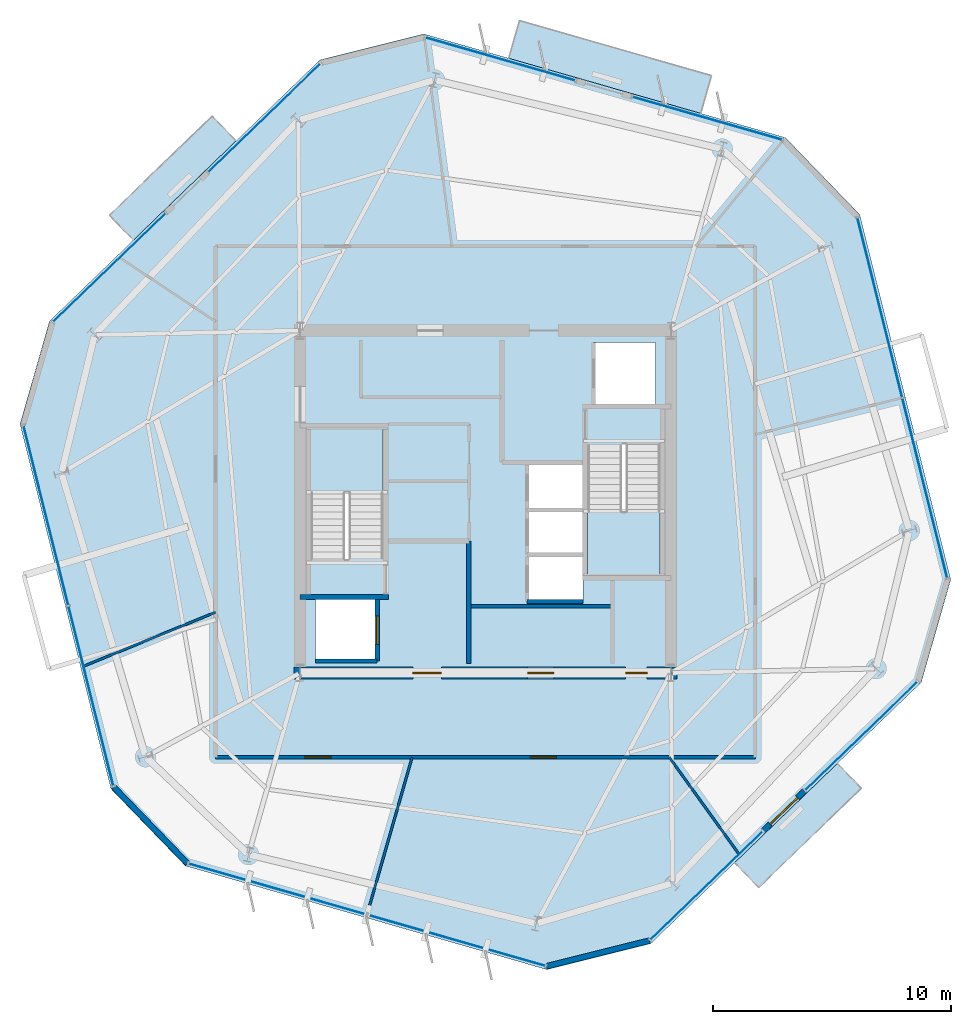
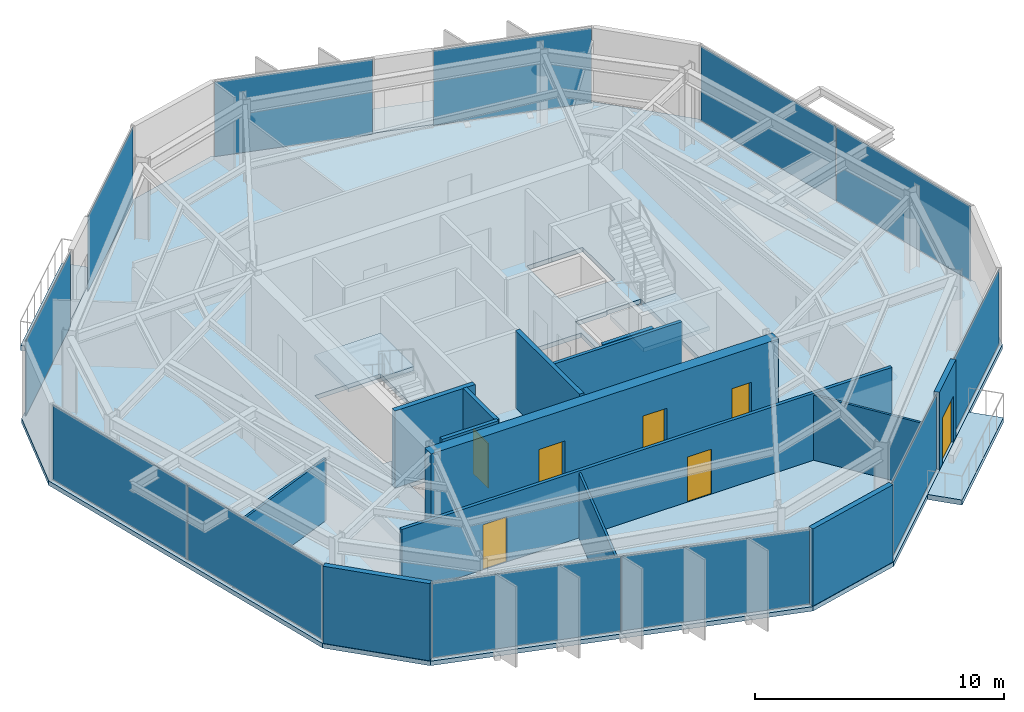
# One storey, part 6 of 10: 14 walls, 12 plates, 7 doors, 6 slabs, 7 openings, 11 elements without a shape of their own.
"""IFC4 building model written with IfcOpenShell, lengths in metres."""

from ifc_helpers import new_model, si_unit, direction, frame, frame_2d, origin, origin_2d, place, context, subcontext, project, spatial, polyline, rectangle, outline, extrude, material, layer, layer_set, type_object, element, fill, aggregate, save


model = new_model("IFC4")

# Units and contexts
model_context = context("Model", 3, precision=1e-05, world=origin(), true_north=direction((0.0, 1.0)))
body_context = subcontext(model_context, "Body", "Model", "MODEL_VIEW")
ifc_project = project(units=[si_unit("LENGTHUNIT", "METRE"), si_unit("AREAUNIT", "SQUARE_METRE"), si_unit("VOLUMEUNIT", "CUBIC_METRE"), si_unit("PLANEANGLEUNIT", "RADIAN"), si_unit("MASSUNIT", "GRAM", prefix="KILO")], contexts=[model_context])

# Site, building, storey
site_placement = place(None, origin())
site = spatial("IfcSite", under=ifc_project, at=site_placement, CompositionType="ELEMENT")
building_placement = place(site_placement, origin())
building = spatial("IfcBuilding", under=site, at=building_placement, Name="Kranzbogen Civic Tower", CompositionType="ELEMENT")
storey_placement = place(building_placement, frame((0.0, 0.0, 200.800048828125)))
storey = spatial("IfcBuildingStorey", under=building, at=storey_placement, Name="L48", CompositionType="ELEMENT", Elevation=200.800048828125)

# Slab
ifc_material_1 = material(Name="Concrete C40/50", Category="concrete")
ifc_layer_1 = layer(ifc_material_1, 0.219970703125, Name="Concrete C40/50")
ifc_layer_set_1 = layer_set([ifc_layer_1], Name="Concrete C40/50")
slab_type_1 = type_object("IfcSlabType", Name="Composite Upper Tower Floor Slab 220 mm", PredefinedType="FLOOR", material=ifc_layer_set_1)
slab_1_placement = place(storey_placement, frame((0.0, 0.0, -0.219970703125)))
element("IfcSlab", 1, at=slab_1_placement, inside=storey, type_object=slab_type_1, Name="L48 tower floor slab", PredefinedType="FLOOR", context=body_context, shape_type="SweptSolid", body=[
    extrude(outline(polyline([(37.6201171875, 40.31494140625), (22.4130859375, 44.675048828125), (18.047119140625, 43.5869140625), (6.6669921875, 32.596923828125), (5.427001953125, 28.27197265625), (9.25390625, 12.922119140625), (12.3798828125, 9.68505859375), (27.5869140625, 5.324951171875), (31.952880859375, 6.4130859375), (43.3330078125, 17.403076171875), (44.572998046875, 21.72802734375), (40.74609375, 37.077880859375), (37.6201171875, 40.31494140625)]), holes=[polyline([(17.85009765625, 20.89990234375), (20.449951171875, 20.89990234375), (20.449951171875, 18.300048828125), (17.85009765625, 18.300048828125), (17.85009765625, 20.89990234375)]), polyline([(29.10009765625, 22.699951171875), (29.10009765625, 20.800048828125), (26.75, 20.800048828125), (26.75, 22.699951171875), (29.10009765625, 22.699951171875)]), polyline([(29.10009765625, 24.64990234375), (29.10009765625, 22.77490234375), (26.75, 22.77490234375), (26.75, 24.64990234375), (26.75, 24.675048828125), (26.75, 26.550048828125), (29.10009765625, 26.550048828125), (29.10009765625, 24.675048828125), (29.10009765625, 24.64990234375)]), polyline([(29.300048828125, 27.340087890625), (30.75, 27.340087890625), (30.75, 27.39990234375), (32.35009765625, 27.39990234375), (32.35009765625, 21.89990234375), (29.300048828125, 21.89990234375), (29.300048828125, 27.340087890625)]), polyline([(20.699951171875, 22.659912109375), (19.25, 22.659912109375), (19.25, 22.60009765625), (17.64990234375, 22.60009765625), (17.64990234375, 28.10009765625), (20.699951171875, 28.10009765625), (20.699951171875, 22.659912109375)]), polyline([(32.14990234375, 31.699951171875), (32.14990234375, 29.10009765625), (29.550048828125, 29.10009765625), (29.550048828125, 31.699951171875), (32.14990234375, 31.699951171875)])]), origin(), (0.0, 0.0, 1.0), 0.219970703125),
])

# Curtain wall, plate
ifc_material_2 = material(Name="Pale Anodised Aluminium", Category="aluminium")
ifc_layer_2 = layer(ifc_material_2, 0.219970703125, Name="Pale Anodised Aluminium")
ifc_layer_set_2 = layer_set([ifc_layer_2], Name="Pale Anodised Aluminium")
curtain_wall_type = type_object("IfcCurtainWallType", Name="Zone 3 Stick Curtain Wall System CW-04", PredefinedType="USERDEFINED", material=ifc_layer_set_2)
curtain_wall_1_placement = place(storey_placement, origin())
curtain_wall_1 = element("IfcCurtainWall", 2, at=curtain_wall_1_placement, inside=storey, type_object=curtain_wall_type, Name="L48 curtain wall CW-L48-F1-S1", ObjectType="STICK CURTAIN WALL", PredefinedType="USERDEFINED")
ifc_material_3 = material(Name="Low-E Triple Glazing Glass", Category="glass")
ifc_layer_3 = layer(ifc_material_3, 0.030029296875, Name="Low-E Triple Glazing Glass")
ifc_layer_set_3 = layer_set([ifc_layer_3], Name="Low-E Triple Glazing Glass")
plate_type = type_object("IfcPlateType", Name="Insulated Low-E Glazing Panel 30 mm", PredefinedType="CURTAIN_PANEL", material=ifc_layer_set_3)
plate_1_placement = place(storey_placement, frame((34.3330078125, 41.1240234375, 0.06005859375), z_axis=(0.0, 0.0, 1.0), x_axis=(-0.961262631225, 0.275634094063, 0.0)))
plate_1 = element("IfcPlate", 3, at=plate_1_placement, type_object=plate_type, Name="CW-04 panel 1.1", PredefinedType="CURTAIN_PANEL", context=body_context, shape_type="SweptSolid", body=[
    extrude(rectangle(XDim=6.53369140625, YDim=0.028076171875, at=origin_2d()), origin(), (0.0, 0.0, 1.0), 3.659912109375),
])
aggregate(curtain_wall_1, [plate_1])

curtain_wall_2_placement = place(storey_placement, origin())
curtain_wall_2 = element("IfcCurtainWall", 4, at=curtain_wall_2_placement, inside=storey, type_object=curtain_wall_type, Name="L48 curtain wall CW-L48-F1-S2", ObjectType="STICK CURTAIN WALL", PredefinedType="USERDEFINED")
plate_2_placement = place(storey_placement, frame((25.62939453125, 43.618896484375, 0.06005859375), z_axis=(0.0, 0.0, 1.0), x_axis=(-0.961274046996, 0.275594278919, 0.0)))
plate_2 = element("IfcPlate", 5, at=plate_2_placement, type_object=plate_type, Name="CW-04 panel 1.1", PredefinedType="CURTAIN_PANEL", context=body_context, shape_type="SweptSolid", body=[
    extrude(rectangle(XDim=6.53466796875, YDim=0.028076171875, at=origin_2d()), origin(), (0.0, 0.0, 1.0), 3.659912109375),
])
aggregate(curtain_wall_2, [plate_2])

curtain_wall_3_placement = place(storey_placement, origin())
curtain_wall_3 = element("IfcCurtainWall", 6, at=curtain_wall_3_placement, inside=storey, type_object=curtain_wall_type, Name="L48 curtain wall CW-L48-F2-S1", ObjectType="STICK CURTAIN WALL", PredefinedType="USERDEFINED")
plate_3_placement = place(storey_placement, frame((15.702392578125, 41.14453125, 0.06005859375), z_axis=(0.0, 0.0, 1.0), x_axis=(-0.719321190897, -0.694677640583, 0.0)))
plate_3 = element("IfcPlate", 7, at=plate_3_placement, type_object=plate_type, Name="CW-04 panel 1.1", PredefinedType="CURTAIN_PANEL", context=body_context, shape_type="SweptSolid", body=[
    extrude(rectangle(XDim=6.534912109375, YDim=0.028076171875, at=origin_2d()), origin(), (0.0, 0.0, 1.0), 3.659912109375),
])
aggregate(curtain_wall_3, [plate_3])

curtain_wall_4_placement = place(storey_placement, origin())
curtain_wall_4 = element("IfcCurtainWall", 8, at=curtain_wall_4_placement, inside=storey, type_object=curtain_wall_type, Name="L48 curtain wall CW-L48-F2-S2", ObjectType="STICK CURTAIN WALL", PredefinedType="USERDEFINED")
plate_4_placement = place(storey_placement, frame((9.189453125, 34.8544921875, 0.06005859375), z_axis=(0.0, 0.0, 1.0), x_axis=(-0.719321190897, -0.694677640583, 0.0)))
plate_4 = element("IfcPlate", 9, at=plate_4_placement, type_object=plate_type, Name="CW-04 panel 1.1", PredefinedType="CURTAIN_PANEL", context=body_context, shape_type="SweptSolid", body=[
    extrude(rectangle(XDim=6.534912109375, YDim=0.028076171875, at=origin_2d()), origin(), (0.0, 0.0, 1.0), 3.659912109375),
])
aggregate(curtain_wall_4, [plate_4])

# Curtain wall, plates
curtain_wall_5_placement = place(storey_placement, origin())
curtain_wall_5 = element("IfcCurtainWall", 10, at=curtain_wall_5_placement, inside=storey, type_object=curtain_wall_type, Name="L48 curtain wall CW-L48-F3", ObjectType="STICK CURTAIN WALL", PredefinedType="USERDEFINED")
plate_5_placement = place(storey_placement, frame((6.5185546875, 24.423828125, 0.06005859375), z_axis=(0.0, 0.0, 1.0), x_axis=(0.241906467442, -0.970299572817, 0.0)))
plate_5 = element("IfcPlate", 11, at=plate_5_placement, type_object=plate_type, Name="CW-04 panel 1.1", PredefinedType="CURTAIN_PANEL", context=body_context, shape_type="SweptSolid", body=[
    extrude(rectangle(XDim=7.76416015625, YDim=0.028076171875, at=origin_2d()), origin(), (0.0, 0.0, 1.0), 3.659912109375),
])
plate_6_placement = place(storey_placement, frame((8.411376953125, 16.83203125, 0.06005859375), z_axis=(0.0, 0.0, 1.0), x_axis=(0.241906467442, -0.970299572817, 0.0)))
plate_6 = element("IfcPlate", 12, at=plate_6_placement, type_object=plate_type, Name="CW-04 panel 2.1", PredefinedType="CURTAIN_PANEL", context=body_context, shape_type="SweptSolid", body=[
    extrude(rectangle(XDim=7.76416015625, YDim=0.028076171875, at=origin_2d()), origin(), (0.0, 0.0, 1.0), 3.659912109375),
])
aggregate(curtain_wall_5, [plate_5, plate_6])

curtain_wall_6_placement = place(storey_placement, origin())
curtain_wall_6 = element("IfcCurtainWall", 13, at=curtain_wall_6_placement, inside=storey, type_object=curtain_wall_type, Name="L48 curtain wall CW-L48-F4", ObjectType="STICK CURTAIN WALL", PredefinedType="USERDEFINED")
plate_7_placement = place(storey_placement, frame((16.25830078125, 8.70654296875, 0.06005859375), z_axis=(0.0, 0.0, 1.0), x_axis=(0.961276121822, -0.275587041813, 0.0)))
plate_7 = element("IfcPlate", 14, at=plate_7_placement, type_object=plate_type, Name="CW-04 panel 1.1", PredefinedType="CURTAIN_PANEL", context=body_context, shape_type="SweptSolid", body=[
    extrude(rectangle(XDim=7.76416015625, YDim=0.028076171875, at=origin_2d()), origin(), (0.0, 0.0, 1.0), 3.659912109375),
])
plate_8_placement = place(storey_placement, frame((23.779541015625, 6.55029296875, 0.06005859375), z_axis=(0.0, 0.0, 1.0), x_axis=(0.961276121822, -0.275587041813, 0.0)))
plate_8 = element("IfcPlate", 15, at=plate_8_placement, type_object=plate_type, Name="CW-04 panel 2.1", PredefinedType="CURTAIN_PANEL", context=body_context, shape_type="SweptSolid", body=[
    extrude(rectangle(XDim=7.76416015625, YDim=0.028076171875, at=origin_2d()), origin(), (0.0, 0.0, 1.0), 3.659912109375),
])
aggregate(curtain_wall_6, [plate_7, plate_8])

# Curtain wall, plate
curtain_wall_7_placement = place(storey_placement, origin())
curtain_wall_7 = element("IfcCurtainWall", 16, at=curtain_wall_7_placement, inside=storey, type_object=curtain_wall_type, Name="L48 curtain wall CW-L48-F5-S1", ObjectType="STICK CURTAIN WALL", PredefinedType="USERDEFINED")
plate_9_placement = place(storey_placement, frame((34.297607421875, 8.85546875, 0.06005859375), z_axis=(0.0, 0.0, 1.0), x_axis=(0.719321190897, 0.694677640583, 0.0)))
plate_9 = element("IfcPlate", 17, at=plate_9_placement, type_object=plate_type, Name="CW-04 panel 1.1", PredefinedType="CURTAIN_PANEL", context=body_context, shape_type="SweptSolid", body=[
    extrude(rectangle(XDim=6.534912109375, YDim=0.028076171875, at=origin_2d()), origin(), (0.0, 0.0, 1.0), 3.659912109375),
])
aggregate(curtain_wall_7, [plate_9])

curtain_wall_8_placement = place(storey_placement, origin())
curtain_wall_8 = element("IfcCurtainWall", 18, at=curtain_wall_8_placement, inside=storey, type_object=curtain_wall_type, Name="L48 curtain wall CW-L48-F5-S2", ObjectType="STICK CURTAIN WALL", PredefinedType="USERDEFINED")
plate_10_placement = place(storey_placement, frame((40.810546875, 15.1455078125, 0.06005859375), z_axis=(0.0, 0.0, 1.0), x_axis=(0.719321190897, 0.694677640583, 0.0)))
plate_10 = element("IfcPlate", 19, at=plate_10_placement, type_object=plate_type, Name="CW-04 panel 1.1", PredefinedType="CURTAIN_PANEL", context=body_context, shape_type="SweptSolid", body=[
    extrude(rectangle(XDim=6.534912109375, YDim=0.028076171875, at=origin_2d()), origin(), (0.0, 0.0, 1.0), 3.659912109375),
])
aggregate(curtain_wall_8, [plate_10])

# Curtain wall, plates
curtain_wall_9_placement = place(storey_placement, origin())
curtain_wall_9 = element("IfcCurtainWall", 20, at=curtain_wall_9_placement, inside=storey, type_object=curtain_wall_type, Name="L48 curtain wall CW-L48-F6", ObjectType="STICK CURTAIN WALL", PredefinedType="USERDEFINED")
plate_11_placement = place(storey_placement, frame((43.4814453125, 25.576171875, 0.06005859375), z_axis=(0.0, 0.0, 1.0), x_axis=(-0.241906467442, 0.970299572817, 0.0)))
plate_11 = element("IfcPlate", 21, at=plate_11_placement, type_object=plate_type, Name="CW-04 panel 1.1", PredefinedType="CURTAIN_PANEL", context=body_context, shape_type="SweptSolid", body=[
    extrude(rectangle(XDim=7.76416015625, YDim=0.028076171875, at=origin_2d()), origin(), (0.0, 0.0, 1.0), 3.659912109375),
])
plate_12_placement = place(storey_placement, frame((41.588623046875, 33.16796875, 0.06005859375), z_axis=(0.0, 0.0, 1.0), x_axis=(-0.241906467442, 0.970299572817, 0.0)))
plate_12 = element("IfcPlate", 22, at=plate_12_placement, type_object=plate_type, Name="CW-04 panel 2.1", PredefinedType="CURTAIN_PANEL", context=body_context, shape_type="SweptSolid", body=[
    extrude(rectangle(XDim=7.76416015625, YDim=0.028076171875, at=origin_2d()), origin(), (0.0, 0.0, 1.0), 3.659912109375),
])
aggregate(curtain_wall_9, [plate_11, plate_12])

# Stair, slab
ifc_material_4 = material(Name="Precast concrete C40/50", Category="concrete")
stair_type_1 = type_object("IfcStairType", Name="Tower Core Pressurized Dogleg Stair 1450", PredefinedType="HALF_TURN_STAIR", material=ifc_material_4)
stair_1_placement = place(storey_placement, origin())
stair_1 = element("IfcStair", 23, at=stair_1_placement, inside=storey, type_object=stair_type_1, Name="L48 Tower Core Pressurized Stair 1", PredefinedType="HALF_TURN_STAIR")
ifc_layer_4 = layer(ifc_material_4, 0.199951171875, Name="Precast concrete C40/50")
ifc_layer_set_4 = layer_set([ifc_layer_4], Name="Precast concrete C40/50")
slab_type_2 = type_object("IfcSlabType", Name="Precast Concrete Stair Landing Slab 200 mm", PredefinedType="LANDING", material=ifc_layer_set_4)
slab_2_placement = place(storey_placement, frame((0.0, 0.0, 1.800048828125)))
slab_2 = element("IfcSlab", 24, at=slab_2_placement, type_object=slab_type_2, Name="ST-T1 landing 1", PredefinedType="LANDING", context=body_context, shape_type="SweptSolid", body=[
    extrude(outline(polyline([(20.699951171875, 25.39990234375), (20.699951171875, 28.10009765625), (17.64990234375, 28.10009765625), (17.64990234375, 25.39990234375), (20.699951171875, 25.39990234375)])), origin(), (0.0, 0.0, 1.0), 0.199951171875),
])
aggregate(stair_1, [slab_2])

stair_type_2 = type_object("IfcStairType", Name="Tower Core Secondary Dogleg Stair 1450", PredefinedType="HALF_TURN_STAIR", material=ifc_material_4)
stair_2_placement = place(storey_placement, origin())
stair_2 = element("IfcStair", 25, at=stair_2_placement, inside=storey, type_object=stair_type_2, Name="L48 Tower Core Pressurized Stair 2", PredefinedType="HALF_TURN_STAIR")
slab_3_placement = place(storey_placement, frame((0.0, 0.0, 1.800048828125)))
slab_3 = element("IfcSlab", 26, at=slab_3_placement, type_object=slab_type_2, Name="ST-T2 landing 1", PredefinedType="LANDING", context=body_context, shape_type="SweptSolid", body=[
    extrude(outline(polyline([(29.300048828125, 24.60009765625), (29.300048828125, 21.89990234375), (32.35009765625, 21.89990234375), (32.35009765625, 24.60009765625), (29.300048828125, 24.60009765625)])), origin(), (0.0, 0.0, 1.0), 0.199951171875),
])
aggregate(stair_2, [slab_3])

# Slabs
ifc_layer_5 = layer(ifc_material_1, 0.280029296875, Name="Concrete C40/50")
ifc_layer_set_5 = layer_set([ifc_layer_5], Name="Concrete C40/50")
slab_type_3 = type_object("IfcSlabType", Name="Spiral Terrace Cantilevered Slab 280 mm", PredefinedType="FLOOR", material=ifc_layer_set_5)
slab_4_placement = place(storey_placement, frame((0.0, 0.0, -0.280029296875)))
element("IfcSlab", 27, at=slab_4_placement, inside=storey, type_object=slab_type_3, Name="L48 cantilevered spiral terrace L48-ST", PredefinedType="FLOOR", context=body_context, shape_type="SweptSolid", body=[
    extrude(outline(polyline([(34.053955078125, 41.3369140625), (25.97900390625, 43.653076171875), (26.43408203125, 45.239013671875), (34.509033203125, 42.923095703125), (34.053955078125, 41.3369140625)])), origin(), (0.0, 0.0, 1.0), 0.280029296875),
])
ifc_layer_6 = layer(ifc_material_1, 0.25, Name="Concrete C40/50")
ifc_layer_set_6 = layer_set([ifc_layer_6], Name="Concrete C40/50")
slab_type_4 = type_object("IfcSlabType", Name="Tree Balcony Cantilevered Slab 250 mm", PredefinedType="FLOOR", material=ifc_layer_set_6)
slab_5_placement = place(storey_placement, frame((0.0, 0.0, -0.25)))
element("IfcSlab", 28, at=slab_5_placement, inside=storey, type_object=slab_type_4, Name="L48 cantilevered tree balcony L48-TB1", PredefinedType="FLOOR", context=body_context, shape_type="SweptSolid", body=[
    extrude(outline(polyline([(35.485107421875, 9.823974609375), (39.801025390625, 13.991943359375), (40.80810546875, 12.948974609375), (36.491943359375, 8.781005859375), (35.485107421875, 9.823974609375)])), origin(), (0.0, 0.0, 1.0), 0.25),
])
slab_6_placement = place(storey_placement, frame((0.0, 0.0, -0.25)))
element("IfcSlab", 29, at=slab_6_placement, inside=storey, type_object=slab_type_4, Name="L48 cantilevered tree balcony L48-TB2", PredefinedType="FLOOR", context=body_context, shape_type="SweptSolid", body=[
    extrude(outline(polyline([(14.514892578125, 40.176025390625), (10.198974609375, 36.008056640625), (9.19189453125, 37.051025390625), (13.508056640625, 41.218994140625), (14.514892578125, 40.176025390625)])), origin(), (0.0, 0.0, 1.0), 0.25),
])

# Wall
ifc_material_5 = material(Name="Double-Stud Acoustic Gypsum Partition")
ifc_layer_7 = layer(ifc_material_5, 0.14990234375, Name="Double-Stud Acoustic Gypsum Partition")
ifc_layer_set_7 = layer_set([ifc_layer_7], Name="Double-Stud Acoustic Gypsum Partition")
wall_type_1 = type_object("IfcWallType", Name="Acoustic Corridor and Clinical Partition 150 mm", PredefinedType="PARTITIONING", material=ifc_layer_set_7)
wall_1_placement = place(storey_placement, frame((24.39990234375, 20.610107421875, 0.0), z_axis=(0.0, 0.0, 1.0), x_axis=(1.0, 0.0, 0.0)))
element("IfcWall", 30, at=wall_1_placement, inside=storey, type_object=wall_type_1, Name="L48 records zone North wall", PredefinedType="PARTITIONING", context=body_context, shape_type="SweptSolid", body=[
    extrude(rectangle(XDim=5.900146484375, YDim=0.14990234375, at=frame_2d((2.9501953125, 0.0))), origin(), (0.0, 0.0, 1.0), 3.780029296875),
])

# Wall, openings, doors
wall_2_placement = place(storey_placement, frame((36.35009765625, 14.25, 0.0), z_axis=(0.0, 0.0, 1.0), x_axis=(-1.0, 0.0, 0.0)))
wall_2 = element("IfcWall", 31, at=wall_2_placement, inside=storey, type_object=wall_type_1, Name="L48 corridor partition 03", PredefinedType="PARTITIONING", context=body_context, shape_type="SweptSolid", body=[
    extrude(rectangle(XDim=22.7001953125, YDim=0.14990234375, at=frame_2d((11.35009765625, 0.0))), origin(), (0.0, 0.0, 1.0), 3.280029296875),
])
opening_1_placement = place(wall_2_placement, frame((17.843017578125, 0.0, 0.0)))
opening_1 = element("IfcOpeningElement", 32, at=opening_1_placement, cuts=wall_2, Name="Opening D-COR60", PredefinedType="OPENING", context=body_context, shape_type="SweptSolid", body=[
    extrude(rectangle(XDim=1.10009765625, YDim=2.199951171875, at=frame_2d((0.550048828125, 1.10009765625))), frame((0.0, 0.0849609375, 0.0), z_axis=(0.0, -1.0, 0.0), x_axis=(1.0, 0.0, 0.0)), (0.0, 0.0, 1.0), 0.169921875),
])
opening_2_placement = place(wall_2_placement, frame((8.363037109375, 0.0, 0.0)))
opening_2 = element("IfcOpeningElement", 33, at=opening_2_placement, cuts=wall_2, Name="Opening D-COR60", PredefinedType="OPENING", context=body_context, shape_type="SweptSolid", body=[
    extrude(rectangle(XDim=1.10009765625, YDim=2.199951171875, at=frame_2d((0.550048828125, 1.10009765625))), frame((0.0, 0.0849609375, 0.0), z_axis=(0.0, -1.0, 0.0), x_axis=(1.0, 0.0, 0.0)), (0.0, 0.0, 1.0), 0.169921875),
])
ifc_material_6 = material(Name="Oak Timber and Fire Core", Category="wood")
door_type_1 = type_object("IfcDoorType", Name="Corridor Acoustic Fire Door 1100x2200", OperationType="NOTDEFINED", PredefinedType="DOOR", material=ifc_material_6)
door_1_placement = place(opening_1_placement, origin())
door_1 = element("IfcDoor", 34, at=door_1_placement, inside=storey, type_object=door_type_1, Name="L48 Urban Design Workshop door", OperationType="SINGLE_SWING_RIGHT", OverallHeight=2.199951171875, OverallWidth=1.10009765625, PredefinedType="DOOR", context=body_context, shape_type="SweptSolid", body=[
    extrude(rectangle(XDim=1.10009765625, YDim=2.199951171875, at=frame_2d((0.550048828125, 1.10009765625))), frame((0.0, 0.02490234375, 0.0), z_axis=(0.0, -1.0, 0.0), x_axis=(1.0, 0.0, 0.0)), (0.0, 0.0, 1.0), 0.050048828125),
])
fill(opening_1, door_1)
door_2_placement = place(opening_2_placement, origin())
door_2 = element("IfcDoor", 35, at=door_2_placement, inside=storey, type_object=door_type_1, Name="L48 Cultural Screening Clubroom door", OperationType="SINGLE_SWING_LEFT", OverallHeight=2.199951171875, OverallWidth=1.10009765625, PredefinedType="DOOR", context=body_context, shape_type="SweptSolid", body=[
    extrude(rectangle(XDim=1.10009765625, YDim=2.199951171875, at=frame_2d((0.550048828125, 1.10009765625))), frame((0.0, 0.02490234375, 0.0), z_axis=(0.0, -1.0, 0.0), x_axis=(1.0, 0.0, 0.0)), (0.0, 0.0, 1.0), 0.050048828125),
])
fill(opening_2, door_2)

ifc_material_7 = material(Name="Concrete C45/55", Category="concrete")
ifc_layer_8 = layer(ifc_material_7, 0.5, Name="Concrete C45/55")
ifc_layer_set_8 = layer_set([ifc_layer_8], Name="Concrete C45/55")
wall_type_2 = type_object("IfcWallType", Name="Central Core Shear Wall 500 mm", PredefinedType="SHEAR", material=ifc_layer_set_8)
wall_3_placement = place(storey_placement, frame((16.949951171875, 17.800048828125, 0.0), z_axis=(0.0, 0.0, 1.0), x_axis=(1.0, 0.0, 0.0)))
wall_3 = element("IfcWall", 36, at=wall_3_placement, inside=storey, type_object=wall_type_2, Name="L48 central core South shear wall", PredefinedType="SHEAR", context=body_context, shape_type="SweptSolid", body=[
    extrude(rectangle(XDim=16.10009765625, YDim=0.5, at=frame_2d((8.050048828125, 0.0))), origin(), (0.0, 0.0, 1.0), 3.780029296875),
])
opening_3_placement = place(wall_3_placement, frame((5.0, 0.0, 0.0)))
opening_3 = element("IfcOpeningElement", 37, at=opening_3_placement, cuts=wall_3, Name="Opening D-EX120", PredefinedType="OPENING", context=body_context, shape_type="SweptSolid", body=[
    extrude(rectangle(XDim=1.199951171875, YDim=2.25, at=frame_2d((0.60009765625, 1.125))), frame((0.0, 0.260009765625, 0.0), z_axis=(0.0, -1.0, 0.0), x_axis=(1.0, 0.0, 0.0)), (0.0, 0.0, 1.0), 0.52001953125),
])
opening_4_placement = place(wall_3_placement, frame((13.949951171875, 0.0, 0.0)))
opening_4 = element("IfcOpeningElement", 38, at=opening_4_placement, cuts=wall_3, Name="Opening D-WC90", PredefinedType="OPENING", context=body_context, shape_type="SweptSolid", body=[
    extrude(rectangle(XDim=0.89990234375, YDim=2.10009765625, at=frame_2d((0.449951171875, 1.050048828125))), frame((0.0, 0.260009765625, 0.0), z_axis=(0.0, -1.0, 0.0), x_axis=(1.0, 0.0, 0.0)), (0.0, 0.0, 1.0), 0.52001953125),
])
opening_5_placement = place(wall_3_placement, frame((9.824951171875, 0.0, 0.0)))
opening_5 = element("IfcOpeningElement", 39, at=opening_5_placement, cuts=wall_3, Name="Opening D-COR60", PredefinedType="OPENING", context=body_context, shape_type="SweptSolid", body=[
    extrude(rectangle(XDim=1.10009765625, YDim=2.199951171875, at=frame_2d((0.550048828125, 1.10009765625))), frame((0.0, 0.260009765625, 0.0), z_axis=(0.0, -1.0, 0.0), x_axis=(1.0, 0.0, 0.0)), (0.0, 0.0, 1.0), 0.52001953125),
])
door_3_placement = place(opening_5_placement, origin())
door_3 = element("IfcDoor", 40, at=door_3_placement, inside=storey, type_object=door_type_1, Name="L48 REC1 archive room door", OperationType="SINGLE_SWING_LEFT", OverallHeight=2.199951171875, OverallWidth=1.10009765625, PredefinedType="DOOR", context=body_context, shape_type="SweptSolid", body=[
    extrude(rectangle(XDim=1.10009765625, YDim=2.199951171875, at=frame_2d((0.550048828125, 1.10009765625))), frame((0.0, 0.02490234375, 0.0), z_axis=(0.0, -1.0, 0.0), x_axis=(1.0, 0.0, 0.0)), (0.0, 0.0, 1.0), 0.050048828125),
])
fill(opening_5, door_3)
ifc_material_8 = material(Name="Steel S355", Category="steel")
door_type_2 = type_object("IfcDoorType", Name="Exit Passageway Fire Door 1200x2250", OperationType="NOTDEFINED", PredefinedType="DOOR", material=ifc_material_8)
door_4_placement = place(opening_3_placement, origin())
door_4 = element("IfcDoor", 41, at=door_4_placement, inside=storey, type_object=door_type_2, Name="L48 West firefighting lobby corridor door", OperationType="SINGLE_SWING_RIGHT", OverallHeight=2.25, OverallWidth=1.199951171875, PredefinedType="DOOR", context=body_context, shape_type="SweptSolid", body=[
    extrude(rectangle(XDim=1.199951171875, YDim=2.25, at=frame_2d((0.60009765625, 1.125))), frame((0.0, 0.02490234375, 0.0), z_axis=(0.0, -1.0, 0.0), x_axis=(1.0, 0.0, 0.0)), (0.0, 0.0, 1.0), 0.050048828125),
])
fill(opening_3, door_4)
ifc_material_9 = material(Name="Moisture-Resistant Laminate")
door_type_3 = type_object("IfcDoorType", Name="Standard Restroom and Store Door 900x2100", OperationType="NOTDEFINED", PredefinedType="DOOR", material=ifc_material_9)
door_5_placement = place(opening_4_placement, origin())
door_5 = element("IfcDoor", 42, at=door_5_placement, inside=storey, type_object=door_type_3, Name="L48 East electrical riser access door", OperationType="SINGLE_SWING_RIGHT", OverallHeight=2.10009765625, OverallWidth=0.89990234375, PredefinedType="DOOR", context=body_context, shape_type="SweptSolid", body=[
    extrude(rectangle(XDim=0.89990234375, YDim=2.10009765625, at=frame_2d((0.449951171875, 1.050048828125))), frame((0.0, 0.02490234375, 0.0), z_axis=(0.0, -1.0, 0.0), x_axis=(1.0, 0.0, 0.0)), (0.0, 0.0, 1.0), 0.050048828125),
])
fill(opening_4, door_5)

# Walls
ifc_layer_9 = layer(ifc_material_7, 0.219970703125, Name="Concrete C45/55")
ifc_layer_set_9 = layer_set([ifc_layer_9], Name="Concrete C45/55")
wall_type_3 = type_object("IfcWallType", Name="Core Internal Stair Structural Wall 220 mm", PredefinedType="SOLIDWALL", material=ifc_layer_set_9)
wall_4_placement = place(storey_placement, frame((17.199951171875, 20.989990234375, 0.0), z_axis=(0.0, 0.0, 1.0), x_axis=(1.0, 0.0, 0.0)))
element("IfcWall", 43, at=wall_4_placement, inside=storey, type_object=wall_type_3, Name="L48 ST-T1 South structural stair wall", PredefinedType="SOLIDWALL", context=body_context, shape_type="SweptSolid", body=[
    extrude(rectangle(XDim=3.719970703125, YDim=0.219970703125, at=frame_2d((1.85986328125, 0.0))), origin(), (0.0, 0.0, 1.0), 3.780029296875),
])
ifc_material_10 = material(Name="Demountable Aluminium and Gypsum Partition", Category="aluminium")
ifc_layer_10 = layer(ifc_material_10, 0.10009765625, Name="Demountable Aluminium and Gypsum Partition")
ifc_layer_set_10 = layer_set([ifc_layer_10], Name="Demountable Aluminium and Gypsum Partition")
wall_type_4 = type_object("IfcWallType", Name="Demountable Office Partition 100 mm", PredefinedType="MOVABLE", material=ifc_layer_set_10)
wall_5_placement = place(storey_placement, frame((13.64990234375, 20.35400390625, 0.0), z_axis=(0.0, 0.0, 1.0), x_axis=(-0.925511186293, -0.378720271503, 0.0)))
element("IfcWall", 44, at=wall_5_placement, inside=storey, type_object=wall_type_4, Name="L48 radial room partition 03", PredefinedType="MOVABLE", context=body_context, shape_type="SweptSolid", body=[
    extrude(rectangle(XDim=5.98046875, YDim=0.10009765625, at=frame_2d((2.990234375, 0.0))), origin(), (0.0, 0.0, 1.0), 3.050048828125),
])
wall_6_placement = place(storey_placement, frame((21.91796875, 14.25, 0.0), z_axis=(0.0, 0.0, 1.0), x_axis=(-0.27574381978, -0.961231161507, 0.0)))
element("IfcWall", 45, at=wall_6_placement, inside=storey, type_object=wall_type_4, Name="L48 radial room partition 04", PredefinedType="MOVABLE", context=body_context, shape_type="SweptSolid", body=[
    extrude(rectangle(XDim=6.872314453125, YDim=0.10009765625, at=frame_2d((3.43603515625, 0.0))), origin(), (0.0, 0.0, 1.0), 3.179931640625),
])
wall_7_placement = place(storey_placement, frame((32.736083984375, 14.25, 0.0), z_axis=(0.0, 0.0, 1.0), x_axis=(0.584181233506, -0.81162324167, 0.0)))
element("IfcWall", 46, at=wall_7_placement, inside=storey, type_object=wall_type_4, Name="L48 radial room partition 05", PredefinedType="MOVABLE", context=body_context, shape_type="SweptSolid", body=[
    extrude(rectangle(XDim=5.0, YDim=0.10009765625, at=frame_2d((2.5, 0.0))), origin(), (0.0, 0.0, 1.0), 3.179931640625),
])
ifc_material_11 = material(Name="Gypsum Fireboard and Concrete Block", Category="concrete")
ifc_layer_11 = layer(ifc_material_11, 0.199951171875, Name="Gypsum Fireboard and Concrete Block")
ifc_layer_set_11 = layer_set([ifc_layer_11], Name="Gypsum Fireboard and Concrete Block")
wall_type_5 = type_object("IfcWallType", Name="Fire-Rated Exit Passageway and Stair Wall 200 mm", PredefinedType="PARTITIONING", material=ifc_layer_set_11)
wall_8_placement = place(storey_placement, frame((24.300048828125, 18.199951171875, 0.0), z_axis=(0.0, 0.0, 1.0), x_axis=(0.0, 1.0, 0.0)))
element("IfcWall", 47, at=wall_8_placement, inside=storey, type_object=wall_type_5, Name="L48 West firefighting lobby East wall", PredefinedType="PARTITIONING", context=body_context, shape_type="SweptSolid", body=[
    extrude(rectangle(XDim=5.150146484375, YDim=0.199951171875, at=frame_2d((2.5751953125, 0.0))), origin(), (0.0, 0.0, 1.0), 3.780029296875),
])
ifc_material_12 = material(Name="Gypsum Fireboard Shaftliner")
ifc_layer_12 = layer(ifc_material_12, 0.175048828125, Name="Gypsum Fireboard Shaftliner")
ifc_layer_set_12 = layer_set([ifc_layer_12], Name="Gypsum Fireboard Shaftliner")
wall_type_6 = type_object("IfcWallType", Name="Fire-Rated Lift and Service Shaft Wall 175 mm", PredefinedType="PARTITIONING", material=ifc_layer_set_12)
wall_9_placement = place(storey_placement, frame((26.75, 20.800048828125, 0.0), z_axis=(0.0, 0.0, 1.0), x_axis=(1.0, 0.0, 0.0)))
element("IfcWall", 48, at=wall_9_placement, inside=storey, type_object=wall_type_6, Name="L48 lift HP-01 side wall", PredefinedType="PARTITIONING", context=body_context, shape_type="SweptSolid", body=[
    extrude(rectangle(XDim=2.35009765625, YDim=0.175048828125, at=frame_2d((1.175048828125, 0.0))), origin(), (0.0, 0.0, 1.0), 3.780029296875),
])

# Wall, opening, door
wall_10_placement = place(storey_placement, frame((20.449951171875, 18.300048828125, 0.0), z_axis=(0.0, 0.0, 1.0), x_axis=(0.0, 1.0, 0.0)))
wall_10 = element("IfcWall", 49, at=wall_10_placement, inside=storey, type_object=wall_type_6, Name="L48 lift FF-01 landing wall", PredefinedType="PARTITIONING", context=body_context, shape_type="SweptSolid", body=[
    extrude(rectangle(XDim=2.599853515625, YDim=0.175048828125, at=frame_2d((1.2998046875, 0.0))), origin(), (0.0, 0.0, 1.0), 3.780029296875),
])
opening_6_placement = place(wall_10_placement, frame((0.699951171875, 0.0, 0.0)))
opening_6 = element("IfcOpeningElement", 50, at=opening_6_placement, cuts=wall_10, Name="Opening LD-FF-01", PredefinedType="OPENING", context=body_context, shape_type="SweptSolid", body=[
    extrude(rectangle(XDim=1.199951171875, YDim=2.199951171875, at=frame_2d((0.60009765625, 1.10009765625))), frame((0.0, 0.09765625, 0.0), z_axis=(0.0, -1.0, 0.0), x_axis=(1.0, 0.0, 0.0)), (0.0, 0.0, 1.0), 0.195068359375),
])
door_type_4 = type_object("IfcDoorType", Name="Firefighting and Stretcher Lift Sliding Landing Door 1200x2200", OperationType="DOUBLE_DOOR_SLIDING", PredefinedType="DOOR", material=ifc_material_2)
door_6_placement = place(opening_6_placement, origin())
door_6 = element("IfcDoor", 51, at=door_6_placement, inside=storey, type_object=door_type_4, Name="L48 lift FF-01 sliding landing door", OperationType="DOUBLE_DOOR_SLIDING", OverallHeight=2.199951171875, OverallWidth=1.199951171875, PredefinedType="DOOR", context=body_context, shape_type="SweptSolid", body=[
    extrude(rectangle(XDim=1.199951171875, YDim=2.199951171875, at=frame_2d((0.60009765625, 1.10009765625))), frame((0.0, 0.02490234375, 0.0), z_axis=(0.0, -1.0, 0.0), x_axis=(1.0, 0.0, 0.0)), (0.0, 0.0, 1.0), 0.050048828125),
])
fill(opening_6, door_6)

# Walls
wall_11_placement = place(storey_placement, frame((17.85009765625, 18.300048828125, 0.0), z_axis=(0.0, 0.0, 1.0), x_axis=(1.0, 0.0, 0.0)))
element("IfcWall", 52, at=wall_11_placement, inside=storey, type_object=wall_type_6, Name="L48 lift FF-01 side wall", PredefinedType="PARTITIONING", context=body_context, shape_type="SweptSolid", body=[
    extrude(rectangle(XDim=2.599853515625, YDim=0.175048828125, at=frame_2d((1.2998046875, 0.0))), origin(), (0.0, 0.0, 1.0), 3.780029296875),
])
ifc_layer_13 = layer(ifc_material_2, 0.239990234375, Name="Pale Anodised Aluminium")
ifc_layer_set_13 = layer_set([ifc_layer_13], Name="Pale Anodised Aluminium")
wall_type_7 = type_object("IfcWallType", Name="Insulated Aluminium Facade Portal Wall 240 mm", PredefinedType="STANDARD", material=ifc_layer_set_13)
wall_12_placement = place(storey_placement, frame((9.364990234375, 13.007080078125, 0.0), z_axis=(0.0, 0.0, 1.0), x_axis=(0.69467836701, -0.719320489357, 0.0)))
element("IfcWall", 53, at=wall_12_placement, inside=storey, type_object=wall_type_7, Name="L48 chamfered corner facade spandrel 3", PredefinedType="STANDARD", context=body_context, shape_type="SweptSolid", body=[
    extrude(rectangle(XDim=4.46826171875, YDim=0.239990234375, at=frame_2d((2.234130859375, 0.0))), origin(), (0.0, 0.0, 1.0), 3.780029296875),
])
wall_13_placement = place(storey_placement, frame((27.569091796875, 5.464111328125, 0.0), z_axis=(0.0, 0.0, 1.0), x_axis=(0.970347888564, 0.241712587921, 0.0)))
element("IfcWall", 54, at=wall_13_placement, inside=storey, type_object=wall_type_7, Name="L48 chamfered corner facade spandrel 4", PredefinedType="STANDARD", context=body_context, shape_type="SweptSolid", body=[
    extrude(rectangle(XDim=4.467529296875, YDim=0.239990234375, at=frame_2d((2.23388671875, 0.0))), origin(), (0.0, 0.0, 1.0), 3.780029296875),
])

# Wall, opening, door
wall_14_placement = place(storey_placement, frame((36.69091796875, 11.1669921875, 0.0), z_axis=(0.0, 0.0, 1.0), x_axis=(0.719310294305, 0.694688923552, 0.0)))
wall_14 = element("IfcWall", 55, at=wall_14_placement, inside=storey, type_object=wall_type_7, Name="L48 exterior entrance portal wall 1", PredefinedType="STANDARD", context=body_context, shape_type="SweptSolid", body=[
    extrude(rectangle(XDim=2.399658203125, YDim=0.239990234375, at=frame_2d((1.19970703125, 0.0))), origin(), (0.0, 0.0, 1.0), 3.780029296875),
])
opening_7_placement = place(wall_14_placement, frame((0.39990234375, 0.0, 0.0)))
opening_7 = element("IfcOpeningElement", 56, at=opening_7_placement, cuts=wall_14, Name="Opening D-TER", PredefinedType="OPENING", context=body_context, shape_type="SweptSolid", body=[
    extrude(rectangle(XDim=1.60009765625, YDim=2.25, at=frame_2d((0.800048828125, 1.125))), frame((0.0, 0.1298828125, 0.0), z_axis=(0.0, -1.0, 0.0), x_axis=(1.0, 0.0, 0.0)), (0.0, 0.0, 1.0), 0.260009765625),
])
ifc_material_13 = material(Name="Anodised Bronze and Triple Glass", Category="glass")
door_type_5 = type_object("IfcDoorType", Name="Glazed Terrace and Balcony Double Door 1600x2250", OperationType="DOUBLE_DOOR_SINGLE_SWING", PredefinedType="DOOR", material=ifc_material_13)
door_7_placement = place(opening_7_placement, frame((1.60009765625, 0.0, 0.0), z_axis=(0.0, 0.0, 1.0), x_axis=(-1.0, 0.0, 0.0)))
door_7 = element("IfcDoor", 57, at=door_7_placement, inside=storey, type_object=door_type_5, Name="L48 tree balcony access door L48-TB1", OperationType="DOUBLE_DOOR_SINGLE_SWING", OverallHeight=2.25, OverallWidth=1.60009765625, PredefinedType="DOOR", context=body_context, shape_type="SweptSolid", body=[
    extrude(rectangle(XDim=1.60009765625, YDim=2.25, at=frame_2d((0.800048828125, 1.125))), frame((0.0, 0.02490234375, 0.0), z_axis=(0.0, -1.0, 0.0), x_axis=(1.0, 0.0, 0.0)), (0.0, 0.0, 1.0), 0.050048828125),
])
fill(opening_7, door_7)

save(model, "model.ifc")
